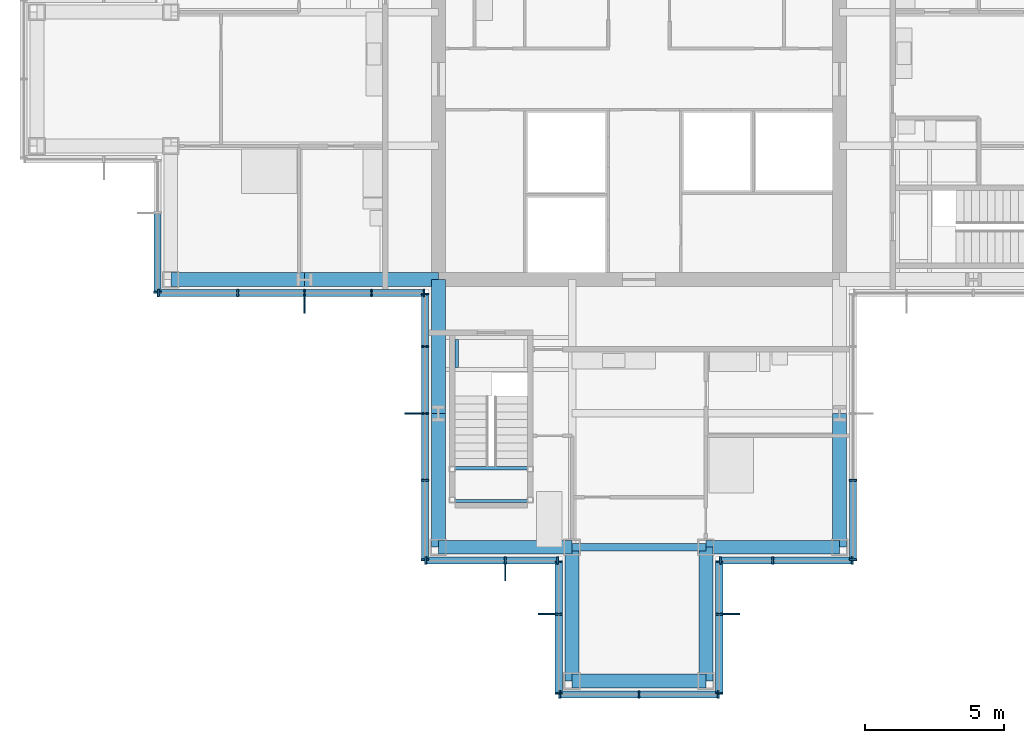
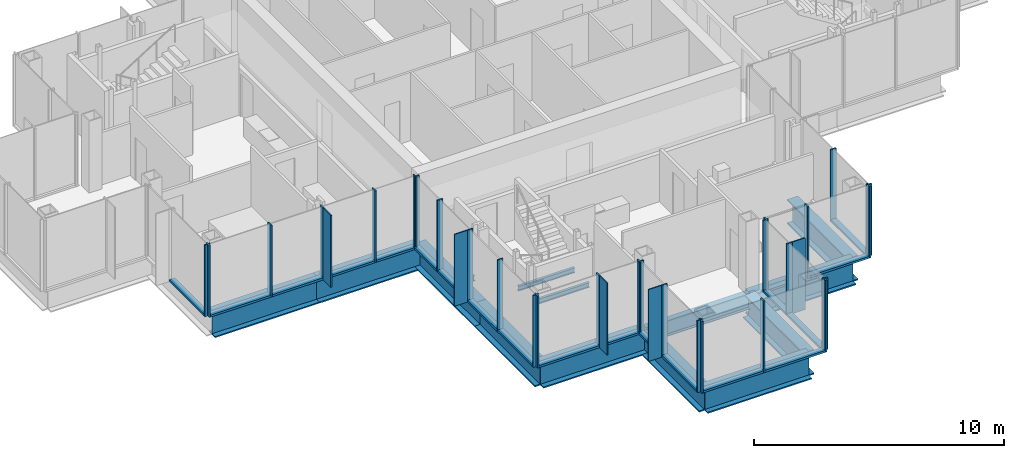
# One storey, part 5 of 14: 53 members, 14 beams, 9 elements without a shape of their own.
"""IFC4 building model written with IfcOpenShell, lengths in metres."""

from ifc_helpers import new_model, si_unit, direction, frame, origin, origin_2d, place, context, subcontext, project, spatial, rectangle, i_section, extrude, material, material_profile, profile_set, type_object, element, aggregate, save


model = new_model("IFC4")

# Units and contexts
model_context = context("Model", 3, precision=1e-05, world=origin(), true_north=direction((0.0, 1.0)))
body_context = subcontext(model_context, "Body", "Model", "MODEL_VIEW")
ifc_project = project(units=[si_unit("LENGTHUNIT", "METRE"), si_unit("AREAUNIT", "SQUARE_METRE"), si_unit("VOLUMEUNIT", "CUBIC_METRE"), si_unit("PLANEANGLEUNIT", "RADIAN"), si_unit("MASSUNIT", "GRAM", prefix="KILO")], contexts=[model_context])

# Site, building, storey
site_placement = place(None, origin())
site = spatial("IfcSite", under=ifc_project, at=site_placement, CompositionType="ELEMENT")
building_placement = place(site_placement, origin())
building = spatial("IfcBuilding", under=site, at=building_placement, Name="Kvirike Care Tower", CompositionType="ELEMENT")
storey_placement = place(building_placement, frame((0.0, 0.0, 194.5)))
storey = spatial("IfcBuildingStorey", under=building, at=storey_placement, Name="L53", CompositionType="ELEMENT", Elevation=194.5)

# Curtain wall, member
ifc_material_1 = material(Name="Anodised aluminium stick system", Category="aluminium")
curtain_wall_type = type_object("IfcCurtainWallType", Name="CW-D STICK CURTAIN WALL", PredefinedType="NOTDEFINED", material=ifc_material_1)
curtain_wall_1_placement = place(storey_placement, origin())
curtain_wall_1 = element("IfcCurtainWall", 1, at=curtain_wall_1_placement, inside=storey, type_object=curtain_wall_type, Name="Curtain wall L53 face 15", PredefinedType="NOTDEFINED")
ifc_material_2 = material(Name="Bronze anodised aluminium fin", Category="aluminium")
ifc_material_profile_1 = material_profile(ifc_material_2, rectangle(XDim=0.050048828125, YDim=0.60009765625, at=origin_2d()), Name="BRONZE FIN 600")
ifc_profile_set_1 = profile_set([ifc_material_profile_1], Name="Bronze anodised aluminium fin")
member_type_1 = type_object("IfcMemberType", Name="BRONZE FIN 600", PredefinedType="USERDEFINED", material=ifc_profile_set_1)
member_1_placement = place(storey_placement, frame((9.60009765625, 27.889892578125, 0.0), z_axis=(0.0, 0.0, 1.0), x_axis=(1.0, 0.0, 0.0)))
member_1 = element("IfcMember", 2, at=member_1_placement, type_object=member_type_1, Name="Bronze fin L53 face 15.3", ObjectType="FIN", PredefinedType="USERDEFINED", context=body_context, shape_type="SweptSolid", body=[
    extrude(rectangle(XDim=0.050048828125, YDim=0.60009765625, at=origin_2d()), origin(), (0.0, 0.0, 1.0), 3.5),
])

curtain_wall_2_placement = place(storey_placement, origin())
curtain_wall_2 = element("IfcCurtainWall", 3, at=curtain_wall_2_placement, inside=storey, type_object=curtain_wall_type, Name="Curtain wall L53 face 16", PredefinedType="NOTDEFINED")
member_2_placement = place(storey_placement, frame((13.489990234375, 24.0, 0.0), z_axis=(0.0, 0.0, 1.0), x_axis=(0.0, -1.0, 0.0)))
member_2 = element("IfcMember", 4, at=member_2_placement, type_object=member_type_1, Name="Bronze fin L53 face 16.3", ObjectType="FIN", PredefinedType="USERDEFINED", context=body_context, shape_type="SweptSolid", body=[
    extrude(rectangle(XDim=0.050048828125, YDim=0.60009765625, at=origin_2d()), origin(), (0.0, 0.0, 1.0), 3.5),
])

curtain_wall_3_placement = place(storey_placement, origin())
curtain_wall_3 = element("IfcCurtainWall", 5, at=curtain_wall_3_placement, inside=storey, type_object=curtain_wall_type, Name="Curtain wall L53 face 17", PredefinedType="NOTDEFINED")
member_3_placement = place(storey_placement, frame((16.800048828125, 18.2900390625, 0.0), z_axis=(0.0, 0.0, 1.0), x_axis=(1.0, 0.0, 0.0)))
member_3 = element("IfcMember", 6, at=member_3_placement, type_object=member_type_1, Name="Bronze fin L53 face 17.2", ObjectType="FIN", PredefinedType="USERDEFINED", context=body_context, shape_type="SweptSolid", body=[
    extrude(rectangle(XDim=0.050048828125, YDim=0.60009765625, at=origin_2d()), origin(), (0.0, 0.0, 1.0), 3.5),
])

curtain_wall_4_placement = place(storey_placement, origin())
curtain_wall_4 = element("IfcCurtainWall", 7, at=curtain_wall_4_placement, inside=storey, type_object=curtain_wall_type, Name="Curtain wall L53 face 18", PredefinedType="NOTDEFINED")
member_4_placement = place(storey_placement, frame((18.2900390625, 16.800048828125, 0.0), z_axis=(0.0, 0.0, 1.0), x_axis=(0.0, -1.0, 0.0)))
member_4 = element("IfcMember", 8, at=member_4_placement, type_object=member_type_1, Name="Bronze fin L53 face 18.2", ObjectType="FIN", PredefinedType="USERDEFINED", context=body_context, shape_type="SweptSolid", body=[
    extrude(rectangle(XDim=0.050048828125, YDim=0.60009765625, at=origin_2d()), origin(), (0.0, 0.0, 1.0), 3.5),
])

curtain_wall_5_placement = place(storey_placement, origin())
curtain_wall_5 = element("IfcCurtainWall", 9, at=curtain_wall_5_placement, inside=storey, type_object=curtain_wall_type, Name="Curtain wall L53 face 20", PredefinedType="NOTDEFINED")
member_5_placement = place(storey_placement, frame((24.909912109375, 16.800048828125, 0.0), z_axis=(0.0, 0.0, 1.0), x_axis=(0.0, 1.0, 0.0)))
member_5 = element("IfcMember", 10, at=member_5_placement, type_object=member_type_1, Name="Bronze fin L53 face 20.2", ObjectType="FIN", PredefinedType="USERDEFINED", context=body_context, shape_type="SweptSolid", body=[
    extrude(rectangle(XDim=0.050048828125, YDim=0.60009765625, at=origin_2d()), origin(), (0.0, 0.0, 1.0), 3.5),
])

curtain_wall_6_placement = place(storey_placement, origin())
curtain_wall_6 = element("IfcCurtainWall", 11, at=curtain_wall_6_placement, inside=storey, type_object=curtain_wall_type, Name="Curtain wall L53 face 14", PredefinedType="NOTDEFINED")
ifc_material_3 = material(Name="Bronze anodised aluminium mullion", Category="aluminium")
ifc_material_profile_2 = material_profile(ifc_material_3, rectangle(XDim=0.06494140625, YDim=0.260009765625, at=origin_2d()), Name="CW-D MULLION 65x260")
ifc_profile_set_2 = profile_set([ifc_material_profile_2], Name="Bronze anodised aluminium mullion")
member_type_2 = type_object("IfcMemberType", Name="CW-D MULLION 65x260", PredefinedType="MULLION", material=ifc_profile_set_2)
member_6_placement = place(storey_placement, frame((4.320068359375, 28.3525390625, 0.0), z_axis=(0.0, 0.0, 1.0), x_axis=(0.0, -1.0, 0.0)))
member_6 = element("IfcMember", 12, at=member_6_placement, type_object=member_type_2, Name="CW-D mullion L53 face 14.3", PredefinedType="MULLION", context=body_context, shape_type="SweptSolid", body=[
    extrude(rectangle(XDim=0.06494140625, YDim=0.260009765625, at=origin_2d()), origin(), (0.0, 0.0, 1.0), 3.5),
])

# Member
member_7_placement = place(storey_placement, frame((4.3525390625, 28.320068359375, 0.0), z_axis=(0.0, 0.0, 1.0), x_axis=(1.0, 0.0, 0.0)))
member_7 = element("IfcMember", 13, at=member_7_placement, type_object=member_type_2, Name="CW-D mullion L53 face 15.1", PredefinedType="MULLION", context=body_context, shape_type="SweptSolid", body=[
    extrude(rectangle(XDim=0.06494140625, YDim=0.260009765625, at=origin_2d()), origin(), (0.0, 0.0, 1.0), 3.5),
])

member_8_placement = place(storey_placement, frame((7.199951171875, 28.320068359375, 0.0), z_axis=(0.0, 0.0, 1.0), x_axis=(1.0, 0.0, 0.0)))
member_8 = element("IfcMember", 14, at=member_8_placement, type_object=member_type_2, Name="CW-D mullion L53 face 15.2", PredefinedType="MULLION", context=body_context, shape_type="SweptSolid", body=[
    extrude(rectangle(XDim=0.06494140625, YDim=0.260009765625, at=origin_2d()), origin(), (0.0, 0.0, 1.0), 3.5),
])

member_9_placement = place(storey_placement, frame((9.60009765625, 28.320068359375, 0.0), z_axis=(0.0, 0.0, 1.0), x_axis=(1.0, 0.0, 0.0)))
member_9 = element("IfcMember", 15, at=member_9_placement, type_object=member_type_2, Name="CW-D mullion L53 face 15.3", PredefinedType="MULLION", context=body_context, shape_type="SweptSolid", body=[
    extrude(rectangle(XDim=0.06494140625, YDim=0.260009765625, at=origin_2d()), origin(), (0.0, 0.0, 1.0), 3.5),
])

member_10_placement = place(storey_placement, frame((12.0, 28.320068359375, 0.0), z_axis=(0.0, 0.0, 1.0), x_axis=(1.0, 0.0, 0.0)))
member_10 = element("IfcMember", 16, at=member_10_placement, type_object=member_type_2, Name="CW-D mullion L53 face 15.4", PredefinedType="MULLION", context=body_context, shape_type="SweptSolid", body=[
    extrude(rectangle(XDim=0.06494140625, YDim=0.260009765625, at=origin_2d()), origin(), (0.0, 0.0, 1.0), 3.5),
])

member_11_placement = place(storey_placement, frame((13.887451171875, 28.320068359375, 0.0), z_axis=(0.0, 0.0, 1.0), x_axis=(1.0, 0.0, 0.0)))
member_11 = element("IfcMember", 17, at=member_11_placement, type_object=member_type_2, Name="CW-D mullion L53 face 15.5", PredefinedType="MULLION", context=body_context, shape_type="SweptSolid", body=[
    extrude(rectangle(XDim=0.06494140625, YDim=0.260009765625, at=origin_2d()), origin(), (0.0, 0.0, 1.0), 3.5),
])

member_12_placement = place(storey_placement, frame((13.919921875, 28.28759765625, 0.0), z_axis=(0.0, 0.0, 1.0), x_axis=(0.0, -1.0, 0.0)))
member_12 = element("IfcMember", 18, at=member_12_placement, type_object=member_type_2, Name="CW-D mullion L53 face 16.1", PredefinedType="MULLION", context=body_context, shape_type="SweptSolid", body=[
    extrude(rectangle(XDim=0.06494140625, YDim=0.260009765625, at=origin_2d()), origin(), (0.0, 0.0, 1.0), 3.5),
])

member_13_placement = place(storey_placement, frame((13.919921875, 26.39990234375, 0.0), z_axis=(0.0, 0.0, 1.0), x_axis=(0.0, -1.0, 0.0)))
member_13 = element("IfcMember", 19, at=member_13_placement, type_object=member_type_2, Name="CW-D mullion L53 face 16.2", PredefinedType="MULLION", context=body_context, shape_type="SweptSolid", body=[
    extrude(rectangle(XDim=0.06494140625, YDim=0.260009765625, at=origin_2d()), origin(), (0.0, 0.0, 1.0), 3.5),
])

member_14_placement = place(storey_placement, frame((13.919921875, 24.0, 0.0), z_axis=(0.0, 0.0, 1.0), x_axis=(0.0, -1.0, 0.0)))
member_14 = element("IfcMember", 20, at=member_14_placement, type_object=member_type_2, Name="CW-D mullion L53 face 16.3", PredefinedType="MULLION", context=body_context, shape_type="SweptSolid", body=[
    extrude(rectangle(XDim=0.06494140625, YDim=0.260009765625, at=origin_2d()), origin(), (0.0, 0.0, 1.0), 3.5),
])

member_15_placement = place(storey_placement, frame((13.919921875, 21.60009765625, 0.0), z_axis=(0.0, 0.0, 1.0), x_axis=(0.0, -1.0, 0.0)))
member_15 = element("IfcMember", 21, at=member_15_placement, type_object=member_type_2, Name="CW-D mullion L53 face 16.4", PredefinedType="MULLION", context=body_context, shape_type="SweptSolid", body=[
    extrude(rectangle(XDim=0.06494140625, YDim=0.260009765625, at=origin_2d()), origin(), (0.0, 0.0, 1.0), 3.5),
])

member_16_placement = place(storey_placement, frame((13.919921875, 18.75244140625, 0.0), z_axis=(0.0, 0.0, 1.0), x_axis=(0.0, -1.0, 0.0)))
member_16 = element("IfcMember", 22, at=member_16_placement, type_object=member_type_2, Name="CW-D mullion L53 face 16.5", PredefinedType="MULLION", context=body_context, shape_type="SweptSolid", body=[
    extrude(rectangle(XDim=0.06494140625, YDim=0.260009765625, at=origin_2d()), origin(), (0.0, 0.0, 1.0), 3.5),
])

member_17_placement = place(storey_placement, frame((13.952392578125, 18.719970703125, 0.0), z_axis=(0.0, 0.0, 1.0), x_axis=(1.0, 0.0, 0.0)))
member_17 = element("IfcMember", 23, at=member_17_placement, type_object=member_type_2, Name="CW-D mullion L53 face 17.1", PredefinedType="MULLION", context=body_context, shape_type="SweptSolid", body=[
    extrude(rectangle(XDim=0.06494140625, YDim=0.260009765625, at=origin_2d()), origin(), (0.0, 0.0, 1.0), 3.5),
])

member_18_placement = place(storey_placement, frame((16.800048828125, 18.719970703125, 0.0), z_axis=(0.0, 0.0, 1.0), x_axis=(1.0, 0.0, 0.0)))
member_18 = element("IfcMember", 24, at=member_18_placement, type_object=member_type_2, Name="CW-D mullion L53 face 17.2", PredefinedType="MULLION", context=body_context, shape_type="SweptSolid", body=[
    extrude(rectangle(XDim=0.06494140625, YDim=0.260009765625, at=origin_2d()), origin(), (0.0, 0.0, 1.0), 3.5),
])

member_19_placement = place(storey_placement, frame((18.6875, 18.719970703125, 0.0), z_axis=(0.0, 0.0, 1.0), x_axis=(1.0, 0.0, 0.0)))
member_19 = element("IfcMember", 25, at=member_19_placement, type_object=member_type_2, Name="CW-D mullion L53 face 17.3", PredefinedType="MULLION", context=body_context, shape_type="SweptSolid", body=[
    extrude(rectangle(XDim=0.06494140625, YDim=0.260009765625, at=origin_2d()), origin(), (0.0, 0.0, 1.0), 3.5),
])

member_20_placement = place(storey_placement, frame((18.719970703125, 18.6875, 0.0), z_axis=(0.0, 0.0, 1.0), x_axis=(0.0, -1.0, 0.0)))
member_20 = element("IfcMember", 26, at=member_20_placement, type_object=member_type_2, Name="CW-D mullion L53 face 18.1", PredefinedType="MULLION", context=body_context, shape_type="SweptSolid", body=[
    extrude(rectangle(XDim=0.06494140625, YDim=0.260009765625, at=origin_2d()), origin(), (0.0, 0.0, 1.0), 3.5),
])

member_21_placement = place(storey_placement, frame((18.719970703125, 16.800048828125, 0.0), z_axis=(0.0, 0.0, 1.0), x_axis=(0.0, -1.0, 0.0)))
member_21 = element("IfcMember", 27, at=member_21_placement, type_object=member_type_2, Name="CW-D mullion L53 face 18.2", PredefinedType="MULLION", context=body_context, shape_type="SweptSolid", body=[
    extrude(rectangle(XDim=0.06494140625, YDim=0.260009765625, at=origin_2d()), origin(), (0.0, 0.0, 1.0), 3.5),
])

member_22_placement = place(storey_placement, frame((18.719970703125, 13.952392578125, 0.0), z_axis=(0.0, 0.0, 1.0), x_axis=(0.0, -1.0, 0.0)))
member_22 = element("IfcMember", 28, at=member_22_placement, type_object=member_type_2, Name="CW-D mullion L53 face 18.3", PredefinedType="MULLION", context=body_context, shape_type="SweptSolid", body=[
    extrude(rectangle(XDim=0.06494140625, YDim=0.260009765625, at=origin_2d()), origin(), (0.0, 0.0, 1.0), 3.5),
])

# Curtain wall, members
curtain_wall_7_placement = place(storey_placement, origin())
curtain_wall_7 = element("IfcCurtainWall", 29, at=curtain_wall_7_placement, inside=storey, type_object=curtain_wall_type, Name="Curtain wall L53 face 19", PredefinedType="NOTDEFINED")
member_23_placement = place(storey_placement, frame((18.75244140625, 13.919921875, 0.0), z_axis=(0.0, 0.0, 1.0), x_axis=(1.0, 0.0, 0.0)))
member_23 = element("IfcMember", 30, at=member_23_placement, type_object=member_type_2, Name="CW-D mullion L53 face 19.1", PredefinedType="MULLION", context=body_context, shape_type="SweptSolid", body=[
    extrude(rectangle(XDim=0.06494140625, YDim=0.260009765625, at=origin_2d()), origin(), (0.0, 0.0, 1.0), 3.5),
])
member_24_placement = place(storey_placement, frame((21.60009765625, 13.919921875, 0.0), z_axis=(0.0, 0.0, 1.0), x_axis=(1.0, 0.0, 0.0)))
member_24 = element("IfcMember", 31, at=member_24_placement, type_object=member_type_2, Name="CW-D mullion L53 face 19.2", PredefinedType="MULLION", context=body_context, shape_type="SweptSolid", body=[
    extrude(rectangle(XDim=0.06494140625, YDim=0.260009765625, at=origin_2d()), origin(), (0.0, 0.0, 1.0), 3.5),
])
member_25_placement = place(storey_placement, frame((24.447509765625, 13.919921875, 0.0), z_axis=(0.0, 0.0, 1.0), x_axis=(1.0, 0.0, 0.0)))
member_25 = element("IfcMember", 32, at=member_25_placement, type_object=member_type_2, Name="CW-D mullion L53 face 19.3", PredefinedType="MULLION", context=body_context, shape_type="SweptSolid", body=[
    extrude(rectangle(XDim=0.06494140625, YDim=0.260009765625, at=origin_2d()), origin(), (0.0, 0.0, 1.0), 3.5),
])

# Member
member_26_placement = place(storey_placement, frame((24.47998046875, 13.952392578125, 0.0), z_axis=(0.0, 0.0, 1.0), x_axis=(0.0, 1.0, 0.0)))
member_26 = element("IfcMember", 33, at=member_26_placement, type_object=member_type_2, Name="CW-D mullion L53 face 20.1", PredefinedType="MULLION", context=body_context, shape_type="SweptSolid", body=[
    extrude(rectangle(XDim=0.06494140625, YDim=0.260009765625, at=origin_2d()), origin(), (0.0, 0.0, 1.0), 3.5),
])

member_27_placement = place(storey_placement, frame((24.47998046875, 16.800048828125, 0.0), z_axis=(0.0, 0.0, 1.0), x_axis=(0.0, 1.0, 0.0)))
member_27 = element("IfcMember", 34, at=member_27_placement, type_object=member_type_2, Name="CW-D mullion L53 face 20.2", PredefinedType="MULLION", context=body_context, shape_type="SweptSolid", body=[
    extrude(rectangle(XDim=0.06494140625, YDim=0.260009765625, at=origin_2d()), origin(), (0.0, 0.0, 1.0), 3.5),
])

member_28_placement = place(storey_placement, frame((24.47998046875, 18.6875, 0.0), z_axis=(0.0, 0.0, 1.0), x_axis=(0.0, 1.0, 0.0)))
member_28 = element("IfcMember", 35, at=member_28_placement, type_object=member_type_2, Name="CW-D mullion L53 face 20.3", PredefinedType="MULLION", context=body_context, shape_type="SweptSolid", body=[
    extrude(rectangle(XDim=0.06494140625, YDim=0.260009765625, at=origin_2d()), origin(), (0.0, 0.0, 1.0), 3.5),
])

# Curtain wall, members
curtain_wall_8_placement = place(storey_placement, origin())
curtain_wall_8 = element("IfcCurtainWall", 36, at=curtain_wall_8_placement, inside=storey, type_object=curtain_wall_type, Name="Curtain wall L53 face 21", PredefinedType="NOTDEFINED")
member_29_placement = place(storey_placement, frame((24.512451171875, 18.719970703125, 0.0), z_axis=(0.0, 0.0, 1.0), x_axis=(1.0, 0.0, 0.0)))
member_29 = element("IfcMember", 37, at=member_29_placement, type_object=member_type_2, Name="CW-D mullion L53 face 21.1", PredefinedType="MULLION", context=body_context, shape_type="SweptSolid", body=[
    extrude(rectangle(XDim=0.06494140625, YDim=0.260009765625, at=origin_2d()), origin(), (0.0, 0.0, 1.0), 3.5),
])
member_30_placement = place(storey_placement, frame((26.39990234375, 18.719970703125, 0.0), z_axis=(0.0, 0.0, 1.0), x_axis=(1.0, 0.0, 0.0)))
member_30 = element("IfcMember", 38, at=member_30_placement, type_object=member_type_2, Name="CW-D mullion L53 face 21.2", PredefinedType="MULLION", context=body_context, shape_type="SweptSolid", body=[
    extrude(rectangle(XDim=0.06494140625, YDim=0.260009765625, at=origin_2d()), origin(), (0.0, 0.0, 1.0), 3.5),
])
member_31_placement = place(storey_placement, frame((29.24755859375, 18.719970703125, 0.0), z_axis=(0.0, 0.0, 1.0), x_axis=(1.0, 0.0, 0.0)))
member_31 = element("IfcMember", 39, at=member_31_placement, type_object=member_type_2, Name="CW-D mullion L53 face 21.3", PredefinedType="MULLION", context=body_context, shape_type="SweptSolid", body=[
    extrude(rectangle(XDim=0.06494140625, YDim=0.260009765625, at=origin_2d()), origin(), (0.0, 0.0, 1.0), 3.5),
])

curtain_wall_9_placement = place(storey_placement, origin())
curtain_wall_9 = element("IfcCurtainWall", 40, at=curtain_wall_9_placement, inside=storey, type_object=curtain_wall_type, Name="Curtain wall L53 face 22", PredefinedType="NOTDEFINED")
member_32_placement = place(storey_placement, frame((29.280029296875, 18.75244140625, 0.0), z_axis=(0.0, 0.0, 1.0), x_axis=(0.0, 1.0, 0.0)))
member_32 = element("IfcMember", 41, at=member_32_placement, type_object=member_type_2, Name="CW-D mullion L53 face 22.1", PredefinedType="MULLION", context=body_context, shape_type="SweptSolid", body=[
    extrude(rectangle(XDim=0.06494140625, YDim=0.260009765625, at=origin_2d()), origin(), (0.0, 0.0, 1.0), 3.5),
])
member_33_placement = place(storey_placement, frame((29.280029296875, 21.60009765625, 0.0), z_axis=(0.0, 0.0, 1.0), x_axis=(0.0, 1.0, 0.0)))
member_33 = element("IfcMember", 42, at=member_33_placement, type_object=member_type_2, Name="CW-D mullion L53 face 22.2", PredefinedType="MULLION", context=body_context, shape_type="SweptSolid", body=[
    extrude(rectangle(XDim=0.06494140625, YDim=0.260009765625, at=origin_2d()), origin(), (0.0, 0.0, 1.0), 3.5),
])

# Member
ifc_material_4 = material(Name="Bronze anodised aluminium transom", Category="aluminium")
ifc_material_profile_3 = material_profile(ifc_material_4, rectangle(XDim=0.260009765625, YDim=0.10009765625, at=origin_2d()), Name="CW-D TRANSOM 260x100")
ifc_profile_set_3 = profile_set([ifc_material_profile_3], Name="Bronze anodised aluminium transom")
member_type_3 = type_object("IfcMemberType", Name="CW-D TRANSOM 260x100", PredefinedType="USERDEFINED", material=ifc_profile_set_3)
member_34_placement = place(storey_placement, frame((4.320068359375, 31.16748046875, 0.050048828125), z_axis=(0.0, -1.0, 0.0), x_axis=(1.0, 0.0, 0.0)))
member_34 = element("IfcMember", 43, at=member_34_placement, type_object=member_type_3, Name="CW-D sill transom L53 face 14.2", ObjectType="TRANSOM", PredefinedType="USERDEFINED", context=body_context, shape_type="SweptSolid", body=[
    extrude(rectangle(XDim=0.260009765625, YDim=0.10009765625, at=origin_2d()), origin(), (0.0, 0.0, 1.0), 2.782470703125),
])

aggregate(curtain_wall_6, [member_6, member_34])

member_35_placement = place(storey_placement, frame((4.385009765625, 28.320068359375, 0.050048828125), z_axis=(1.0, 0.0, 0.0), x_axis=(0.0, 1.0, 0.0)))
member_35 = element("IfcMember", 44, at=member_35_placement, type_object=member_type_3, Name="CW-D sill transom L53 face 15.1", ObjectType="TRANSOM", PredefinedType="USERDEFINED", context=body_context, shape_type="SweptSolid", body=[
    extrude(rectangle(XDim=0.260009765625, YDim=0.10009765625, at=origin_2d()), origin(), (0.0, 0.0, 1.0), 2.782470703125),
])

member_36_placement = place(storey_placement, frame((7.232421875, 28.320068359375, 0.050048828125), z_axis=(1.0, 0.0, 0.0), x_axis=(0.0, 1.0, 0.0)))
member_36 = element("IfcMember", 45, at=member_36_placement, type_object=member_type_3, Name="CW-D sill transom L53 face 15.2", ObjectType="TRANSOM", PredefinedType="USERDEFINED", context=body_context, shape_type="SweptSolid", body=[
    extrude(rectangle(XDim=0.260009765625, YDim=0.10009765625, at=origin_2d()), origin(), (0.0, 0.0, 1.0), 2.3349609375),
])

member_37_placement = place(storey_placement, frame((9.632568359375, 28.320068359375, 0.050048828125), z_axis=(1.0, 0.0, 0.0), x_axis=(0.0, 1.0, 0.0)))
member_37 = element("IfcMember", 46, at=member_37_placement, type_object=member_type_3, Name="CW-D sill transom L53 face 15.3", ObjectType="TRANSOM", PredefinedType="USERDEFINED", context=body_context, shape_type="SweptSolid", body=[
    extrude(rectangle(XDim=0.260009765625, YDim=0.10009765625, at=origin_2d()), origin(), (0.0, 0.0, 1.0), 2.3349609375),
])

member_38_placement = place(storey_placement, frame((12.032470703125, 28.320068359375, 0.050048828125), z_axis=(1.0, 0.0, 0.0), x_axis=(0.0, 1.0, 0.0)))
member_38 = element("IfcMember", 47, at=member_38_placement, type_object=member_type_3, Name="CW-D sill transom L53 face 15.4", ObjectType="TRANSOM", PredefinedType="USERDEFINED", context=body_context, shape_type="SweptSolid", body=[
    extrude(rectangle(XDim=0.260009765625, YDim=0.10009765625, at=origin_2d()), origin(), (0.0, 0.0, 1.0), 1.822509765625),
])

aggregate(curtain_wall_1, [member_7, member_8, member_9, member_1, member_10, member_11, member_35, member_36, member_37, member_38])

member_39_placement = place(storey_placement, frame((13.919921875, 28.2548828125, 0.050048828125), z_axis=(0.0, -1.0, 0.0), x_axis=(1.0, 0.0, 0.0)))
member_39 = element("IfcMember", 48, at=member_39_placement, type_object=member_type_3, Name="CW-D sill transom L53 face 16.1", ObjectType="TRANSOM", PredefinedType="USERDEFINED", context=body_context, shape_type="SweptSolid", body=[
    extrude(rectangle(XDim=0.260009765625, YDim=0.10009765625, at=origin_2d()), origin(), (0.0, 0.0, 1.0), 1.822265625),
])

member_40_placement = place(storey_placement, frame((13.919921875, 26.367431640625, 0.050048828125), z_axis=(0.0, -1.0, 0.0), x_axis=(1.0, 0.0, 0.0)))
member_40 = element("IfcMember", 49, at=member_40_placement, type_object=member_type_3, Name="CW-D sill transom L53 face 16.2", ObjectType="TRANSOM", PredefinedType="USERDEFINED", context=body_context, shape_type="SweptSolid", body=[
    extrude(rectangle(XDim=0.260009765625, YDim=0.10009765625, at=origin_2d()), origin(), (0.0, 0.0, 1.0), 2.3349609375),
])

member_41_placement = place(storey_placement, frame((13.919921875, 23.967529296875, 0.050048828125), z_axis=(0.0, -1.0, 0.0), x_axis=(1.0, 0.0, 0.0)))
member_41 = element("IfcMember", 50, at=member_41_placement, type_object=member_type_3, Name="CW-D sill transom L53 face 16.3", ObjectType="TRANSOM", PredefinedType="USERDEFINED", context=body_context, shape_type="SweptSolid", body=[
    extrude(rectangle(XDim=0.260009765625, YDim=0.10009765625, at=origin_2d()), origin(), (0.0, 0.0, 1.0), 2.3349609375),
])

member_42_placement = place(storey_placement, frame((13.919921875, 21.5673828125, 0.050048828125), z_axis=(0.0, -1.0, 0.0), x_axis=(1.0, 0.0, 0.0)))
member_42 = element("IfcMember", 51, at=member_42_placement, type_object=member_type_3, Name="CW-D sill transom L53 face 16.4", ObjectType="TRANSOM", PredefinedType="USERDEFINED", context=body_context, shape_type="SweptSolid", body=[
    extrude(rectangle(XDim=0.260009765625, YDim=0.10009765625, at=origin_2d()), origin(), (0.0, 0.0, 1.0), 2.782470703125),
])

aggregate(curtain_wall_2, [member_12, member_13, member_14, member_2, member_15, member_16, member_39, member_40, member_41, member_42])

member_43_placement = place(storey_placement, frame((13.985107421875, 18.719970703125, 0.050048828125), z_axis=(1.0, 0.0, 0.0), x_axis=(0.0, 1.0, 0.0)))
member_43 = element("IfcMember", 52, at=member_43_placement, type_object=member_type_3, Name="CW-D sill transom L53 face 17.1", ObjectType="TRANSOM", PredefinedType="USERDEFINED", context=body_context, shape_type="SweptSolid", body=[
    extrude(rectangle(XDim=0.260009765625, YDim=0.10009765625, at=origin_2d()), origin(), (0.0, 0.0, 1.0), 2.782470703125),
])

member_44_placement = place(storey_placement, frame((16.83251953125, 18.719970703125, 0.050048828125), z_axis=(1.0, 0.0, 0.0), x_axis=(0.0, 1.0, 0.0)))
member_44 = element("IfcMember", 53, at=member_44_placement, type_object=member_type_3, Name="CW-D sill transom L53 face 17.2", ObjectType="TRANSOM", PredefinedType="USERDEFINED", context=body_context, shape_type="SweptSolid", body=[
    extrude(rectangle(XDim=0.260009765625, YDim=0.10009765625, at=origin_2d()), origin(), (0.0, 0.0, 1.0), 1.822509765625),
])

aggregate(curtain_wall_3, [member_17, member_18, member_3, member_19, member_43, member_44])

member_45_placement = place(storey_placement, frame((18.719970703125, 18.655029296875, 0.050048828125), z_axis=(0.0, -1.0, 0.0), x_axis=(1.0, 0.0, 0.0)))
member_45 = element("IfcMember", 54, at=member_45_placement, type_object=member_type_3, Name="CW-D sill transom L53 face 18.1", ObjectType="TRANSOM", PredefinedType="USERDEFINED", context=body_context, shape_type="SweptSolid", body=[
    extrude(rectangle(XDim=0.260009765625, YDim=0.10009765625, at=origin_2d()), origin(), (0.0, 0.0, 1.0), 1.822509765625),
])

member_46_placement = place(storey_placement, frame((18.719970703125, 16.767578125, 0.050048828125), z_axis=(0.0, -1.0, 0.0), x_axis=(1.0, 0.0, 0.0)))
member_46 = element("IfcMember", 55, at=member_46_placement, type_object=member_type_3, Name="CW-D sill transom L53 face 18.2", ObjectType="TRANSOM", PredefinedType="USERDEFINED", context=body_context, shape_type="SweptSolid", body=[
    extrude(rectangle(XDim=0.260009765625, YDim=0.10009765625, at=origin_2d()), origin(), (0.0, 0.0, 1.0), 2.782470703125),
])

aggregate(curtain_wall_4, [member_20, member_21, member_4, member_22, member_45, member_46])

member_47_placement = place(storey_placement, frame((18.784912109375, 13.919921875, 0.050048828125), z_axis=(1.0, 0.0, 0.0), x_axis=(0.0, 1.0, 0.0)))
member_47 = element("IfcMember", 56, at=member_47_placement, type_object=member_type_3, Name="CW-D sill transom L53 face 19.1", ObjectType="TRANSOM", PredefinedType="USERDEFINED", context=body_context, shape_type="SweptSolid", body=[
    extrude(rectangle(XDim=0.260009765625, YDim=0.10009765625, at=origin_2d()), origin(), (0.0, 0.0, 1.0), 2.782470703125),
])

member_48_placement = place(storey_placement, frame((21.632568359375, 13.919921875, 0.050048828125), z_axis=(1.0, 0.0, 0.0), x_axis=(0.0, 1.0, 0.0)))
member_48 = element("IfcMember", 57, at=member_48_placement, type_object=member_type_3, Name="CW-D sill transom L53 face 19.2", ObjectType="TRANSOM", PredefinedType="USERDEFINED", context=body_context, shape_type="SweptSolid", body=[
    extrude(rectangle(XDim=0.260009765625, YDim=0.10009765625, at=origin_2d()), origin(), (0.0, 0.0, 1.0), 2.782470703125),
])

aggregate(curtain_wall_7, [member_23, member_24, member_25, member_47, member_48])

member_49_placement = place(storey_placement, frame((24.47998046875, 13.985107421875, 0.050048828125), z_axis=(0.0, 1.0, 0.0), x_axis=(-1.0, 0.0, 0.0)))
member_49 = element("IfcMember", 58, at=member_49_placement, type_object=member_type_3, Name="CW-D sill transom L53 face 20.1", ObjectType="TRANSOM", PredefinedType="USERDEFINED", context=body_context, shape_type="SweptSolid", body=[
    extrude(rectangle(XDim=0.260009765625, YDim=0.10009765625, at=origin_2d()), origin(), (0.0, 0.0, 1.0), 2.782470703125),
])

member_50_placement = place(storey_placement, frame((24.47998046875, 16.83251953125, 0.050048828125), z_axis=(0.0, 1.0, 0.0), x_axis=(-1.0, 0.0, 0.0)))
member_50 = element("IfcMember", 59, at=member_50_placement, type_object=member_type_3, Name="CW-D sill transom L53 face 20.2", ObjectType="TRANSOM", PredefinedType="USERDEFINED", context=body_context, shape_type="SweptSolid", body=[
    extrude(rectangle(XDim=0.260009765625, YDim=0.10009765625, at=origin_2d()), origin(), (0.0, 0.0, 1.0), 1.822509765625),
])

aggregate(curtain_wall_5, [member_26, member_27, member_5, member_28, member_49, member_50])

member_51_placement = place(storey_placement, frame((24.544921875, 18.719970703125, 0.050048828125), z_axis=(1.0, 0.0, 0.0), x_axis=(0.0, 1.0, 0.0)))
member_51 = element("IfcMember", 60, at=member_51_placement, type_object=member_type_3, Name="CW-D sill transom L53 face 21.1", ObjectType="TRANSOM", PredefinedType="USERDEFINED", context=body_context, shape_type="SweptSolid", body=[
    extrude(rectangle(XDim=0.260009765625, YDim=0.10009765625, at=origin_2d()), origin(), (0.0, 0.0, 1.0), 1.822509765625),
])

member_52_placement = place(storey_placement, frame((26.4326171875, 18.719970703125, 0.050048828125), z_axis=(1.0, 0.0, 0.0), x_axis=(0.0, 1.0, 0.0)))
member_52 = element("IfcMember", 61, at=member_52_placement, type_object=member_type_3, Name="CW-D sill transom L53 face 21.2", ObjectType="TRANSOM", PredefinedType="USERDEFINED", context=body_context, shape_type="SweptSolid", body=[
    extrude(rectangle(XDim=0.260009765625, YDim=0.10009765625, at=origin_2d()), origin(), (0.0, 0.0, 1.0), 2.782470703125),
])

aggregate(curtain_wall_8, [member_29, member_30, member_31, member_51, member_52])

member_53_placement = place(storey_placement, frame((29.280029296875, 18.784912109375, 0.050048828125), z_axis=(0.0, 1.0, 0.0), x_axis=(-1.0, 0.0, 0.0)))
member_53 = element("IfcMember", 62, at=member_53_placement, type_object=member_type_3, Name="CW-D sill transom L53 face 22.1", ObjectType="TRANSOM", PredefinedType="USERDEFINED", context=body_context, shape_type="SweptSolid", body=[
    extrude(rectangle(XDim=0.260009765625, YDim=0.10009765625, at=origin_2d()), origin(), (0.0, 0.0, 1.0), 2.782470703125),
])

aggregate(curtain_wall_9, [member_32, member_33, member_53])

# Beams
ifc_material_5 = material(Name="Steel S355", Category="steel")
ifc_material_profile_4 = material_profile(ifc_material_5, i_section(OverallWidth=0.26806640625, OverallDepth=0.77001953125, WebThickness=0.015625, FlangeThickness=0.025390625, FilletRadius=0.01708984375, at=origin_2d()), Name="IPE 750x196")
ifc_profile_set_4 = profile_set([ifc_material_profile_4], Name="Steel S355")
beam_type_1 = type_object("IfcBeamType", Name="FLOOR BEAM IPE 750x196", PredefinedType="BEAM", material=ifc_profile_set_4)
beam_1_placement = place(storey_placement, frame((19.199951171875, 19.199951171875, -0.554931640625), z_axis=(1.0, 0.0, 0.0), x_axis=(0.0, 1.0, 0.0)))
element("IfcBeam", 63, at=beam_1_placement, inside=storey, type_object=beam_type_1, Name="Floor Beam E7-E8 L53", PredefinedType="BEAM", context=body_context, shape_type="SweptSolid", body=[
    extrude(i_section(OverallWidth=0.26806640625, OverallDepth=0.77001953125, WebThickness=0.015625, FlangeThickness=0.025390625, FilletRadius=0.01708984375, at=origin_2d()), origin(), (0.0, 0.0, 1.0), 4.800048828125),
])
ifc_material_6 = material(Name="Steel S355", Category="steel")
ifc_material_profile_5 = material_profile(ifc_material_6, i_section(OverallWidth=0.5, OverallDepth=1.199951171875, WebThickness=0.030029296875, FlangeThickness=0.06005859375, at=origin_2d()), Name="PG 1200x500x30x60")
ifc_profile_set_5 = profile_set([ifc_material_profile_5], Name="Steel S355")
beam_type_2 = type_object("IfcBeamType", Name="SPANDREL PG 1200x500x30x60", PredefinedType="SPANDREL", material=ifc_profile_set_5)
for number, where, z_axis, x_axis, name in (
    (64, (19.199951171875, 14.39990234375, -0.77001953125), (1.0, 0.0, 0.0), (0.0, 1.0, 0.0), "Spandrel D7-D8 L53"),
    (65, (14.39990234375, 19.199951171875, -0.77001953125), (1.0, 0.0, 0.0), (0.0, 1.0, 0.0), "Spandrel E6-E7 L53"),
    (66, (24.0, 19.199951171875, -0.77001953125), (1.0, 0.0, 0.0), (0.0, 1.0, 0.0), "Spandrel E8-E9 L53"),
    (67, (4.800048828125, 28.800048828125, -0.77001953125), (1.0, 0.0, 0.0), (0.0, 1.0, 0.0), "Spandrel G4-G5 L53"),
):
    element("IfcBeam", number, at=place(storey_placement, frame(where, z_axis=z_axis, x_axis=x_axis)), inside=storey, type_object=beam_type_2, Name=name, PredefinedType="SPANDREL", context=body_context, shape_type="SweptSolid", body=[
        extrude(i_section(OverallWidth=0.5, OverallDepth=1.199951171875, WebThickness=0.030029296875, FlangeThickness=0.06005859375, at=origin_2d()), origin(), (0.0, 0.0, 1.0), 4.800048828125),
    ])
beam_2_placement = place(storey_placement, frame((9.60009765625, 28.800048828125, -0.77001953125), z_axis=(1.0, 0.0, 0.0), x_axis=(0.0, 1.0, 0.0)))
element("IfcBeam", 68, at=beam_2_placement, inside=storey, type_object=beam_type_2, Name="Spandrel G5-G6 L53", PredefinedType="SPANDREL", context=body_context, shape_type="SweptSolid", body=[
    extrude(i_section(OverallWidth=0.5, OverallDepth=1.199951171875, WebThickness=0.030029296875, FlangeThickness=0.06005859375, at=origin_2d()), origin(), (0.0, 0.0, 1.0), 4.7998046875),
])
for number, where, z_axis, x_axis, name in (
    (69, (14.39990234375, 19.199951171875, -0.77001953125), (0.0, 1.0, 0.0), (-1.0, 0.0, 0.0), "Spandrel E6-F6 L53"),
    (70, (14.39990234375, 24.0, -0.77001953125), (0.0, 1.0, 0.0), (-1.0, 0.0, 0.0), "Spandrel F6-G6 L53"),
    (71, (19.199951171875, 14.39990234375, -0.77001953125), (0.0, 1.0, 0.0), (-1.0, 0.0, 0.0), "Spandrel D7-E7 L53"),
    (72, (24.0, 14.39990234375, -0.77001953125), (0.0, 1.0, 0.0), (-1.0, 0.0, 0.0), "Spandrel D8-E8 L53"),
    (73, (28.800048828125, 19.199951171875, -0.77001953125), (0.0, 1.0, 0.0), (-1.0, 0.0, 0.0), "Spandrel E9-F9 L53"),
):
    element("IfcBeam", number, at=place(storey_placement, frame(where, z_axis=z_axis, x_axis=x_axis)), inside=storey, type_object=beam_type_2, Name=name, PredefinedType="SPANDREL", context=body_context, shape_type="SweptSolid", body=[
        extrude(i_section(OverallWidth=0.5, OverallDepth=1.199951171875, WebThickness=0.030029296875, FlangeThickness=0.06005859375, at=origin_2d()), origin(), (0.0, 0.0, 1.0), 4.800048828125),
    ])
ifc_material_7 = material(Name="Steel S355", Category="steel")
ifc_material_profile_6 = material_profile(ifc_material_7, i_section(OverallWidth=0.1201171875, OverallDepth=0.239990234375, WebThickness=0.006103515625, FlangeThickness=0.009765625, FilletRadius=0.014892578125, at=origin_2d()), Name="IPE 240")
ifc_profile_set_6 = profile_set([ifc_material_profile_6], Name="Steel S355")
beam_type_3 = type_object("IfcBeamType", Name="STAIR LANDING BEAM IPE 240", PredefinedType="BEAM", material=ifc_profile_set_6)
for number, where, z_axis, x_axis, name in (
    (74, (15.0, 20.860107421875, 1.429931640625), (1.0, 0.0, 0.0), (0.0, 1.0, 0.0), "Stair 5 landing beam back L53"),
    (75, (15.0, 22.0400390625, 1.429931640625), (1.0, 0.0, 0.0), (0.0, 1.0, 0.0), "Stair 5 landing beam front L53"),
):
    element("IfcBeam", number, at=place(storey_placement, frame(where, z_axis=z_axis, x_axis=x_axis)), inside=storey, type_object=beam_type_3, Name=name, PredefinedType="BEAM", context=body_context, shape_type="SweptSolid", body=[
        extrude(i_section(OverallWidth=0.1201171875, OverallDepth=0.239990234375, WebThickness=0.006103515625, FlangeThickness=0.009765625, FilletRadius=0.014892578125, at=origin_2d()), origin(), (0.0, 0.0, 1.0), 2.60009765625),
    ])
beam_3_placement = place(storey_placement, frame((15.06005859375, 25.64990234375, -0.320068359375), z_axis=(0.0, 1.0, 0.0), x_axis=(-1.0, 0.0, 0.0)))
element("IfcBeam", 76, at=beam_3_placement, inside=storey, type_object=beam_type_3, Name="Stair 5 landing edge beam 1 L53", PredefinedType="BEAM", context=body_context, shape_type="SweptSolid", body=[
    extrude(i_section(OverallWidth=0.1201171875, OverallDepth=0.239990234375, WebThickness=0.006103515625, FlangeThickness=0.009765625, FilletRadius=0.014892578125, at=origin_2d()), origin(), (0.0, 0.0, 1.0), 1.0),
])

save(model, "model.ifc")
